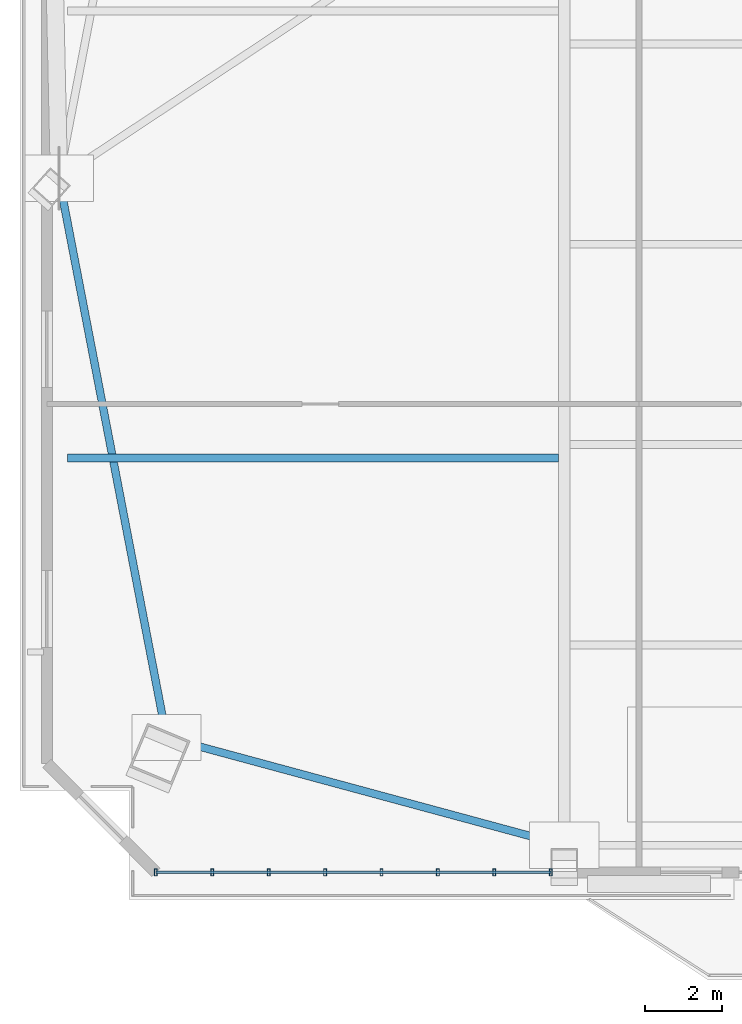
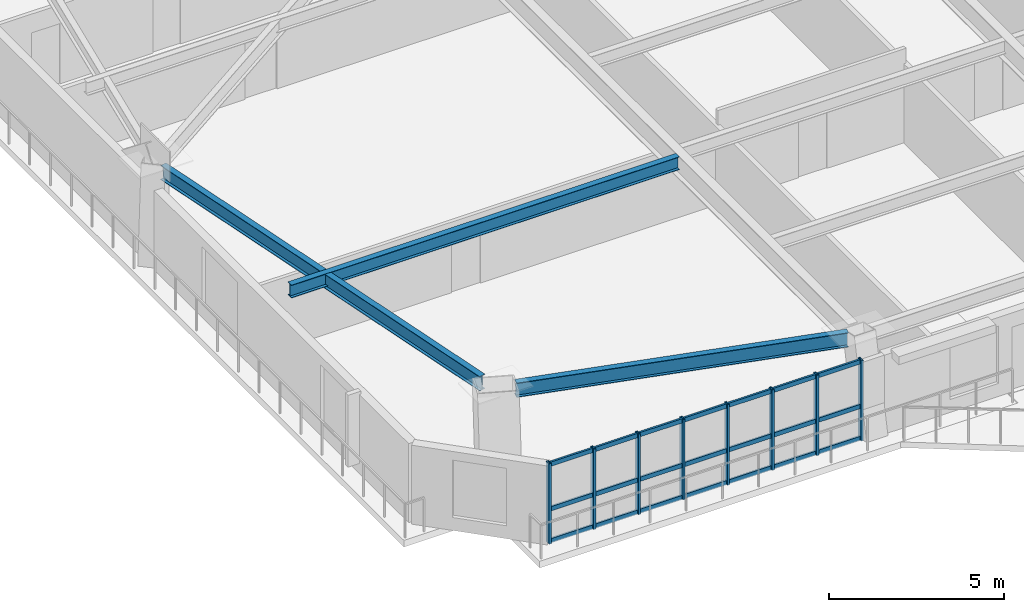
# One storey, part 2 of 16: 11 members, 3 beams, 1 element without a shape of its own.
"""IFC4 building model written with IfcOpenShell, lengths in metres."""

from ifc_helpers import new_model, si_unit, direction, frame, origin, origin_2d, place, context, subcontext, project, spatial, hollow_rectangle, i_section, extrude, source, transform, mapped, material, layer, layer_set, material_profile, profile_set, type_object, element, aggregate, save


model = new_model("IFC4")

# Units and contexts
model_context = context("Model", 3, precision=1e-05, world=origin(), true_north=direction((0.0, 1.0)))
body_context = subcontext(model_context, "Body", "Model", "MODEL_VIEW")
ifc_project = project(units=[si_unit("LENGTHUNIT", "METRE"), si_unit("AREAUNIT", "SQUARE_METRE"), si_unit("VOLUMEUNIT", "CUBIC_METRE"), si_unit("PLANEANGLEUNIT", "RADIAN"), si_unit("MASSUNIT", "GRAM", prefix="KILO")], contexts=[model_context])

# Site, building, storey
site_placement = place(None, origin())
site = spatial("IfcSite", under=ifc_project, at=site_placement, CompositionType="ELEMENT")
building_placement = place(site_placement, origin())
building = spatial("IfcBuilding", under=site, at=building_placement, Name="Giltprow Tower", CompositionType="ELEMENT")
storey_placement = place(building_placement, frame((0.0, 0.0, 199.199951171875)))
storey = spatial("IfcBuildingStorey", under=building, at=storey_placement, Name="L50", CompositionType="ELEMENT", Elevation=199.199951171875)

# Beams
ifc_material_1 = material(Name="Structural steel Q355B", Category="steel")
ifc_material_profile_1 = material_profile(ifc_material_1, i_section(OverallWidth=0.199951171875, OverallDepth=0.5, WebThickness=0.010009765625, FlangeThickness=0.01611328125, at=origin_2d()), Name="HN 500x200x10x16")
ifc_profile_set_1 = profile_set([ifc_material_profile_1], Name="Structural steel Q355B")
beam_type_1 = type_object("IfcBeamType", Name="BM-SPAN-HN500", PredefinedType="SPANDREL", material=ifc_profile_set_1)
shared_shape_1 = source(origin(), body_context, "Body", "SweptSolid", [
    extrude(i_section(OverallWidth=0.199951171875, OverallDepth=0.5, WebThickness=0.010009765625, FlangeThickness=0.01611328125, at=origin_2d()), origin(), (0.0, 0.0, 1.0), 9.799072265625),
])
beam_1_placement = place(storey_placement, frame((10.068115234375, 14.032958984375, 3.02001953125), z_axis=(0.965302818233, -0.261133048676, 0.0), x_axis=(0.261133048676, 0.965302818233, 0.0)))
element("IfcBeam", 1, at=beam_1_placement, inside=storey, type_object=beam_type_1, Name="L50 Perimeter Spandrel Beam MC_SW-S1", PredefinedType="SPANDREL", context=body_context, shape_type="MappedRepresentation", body=[
    mapped(shared_shape_1, transform((0.0, 0.0, 0.0), x_axis=(1.0, 0.0, 0.0), y_axis=(0.0, 1.0, 0.0), z_axis=(0.0, 0.0, 1.0), scale=1.0)),
])
shared_shape_2 = source(origin(), body_context, "Body", "SweptSolid", [
    extrude(i_section(OverallWidth=0.199951171875, OverallDepth=0.5, WebThickness=0.010009765625, FlangeThickness=0.01611328125, at=origin_2d()), origin(), (0.0, 0.0, 1.0), 13.904541015625),
])
beam_2_placement = place(storey_placement, frame((6.76611328125, 28.4140625, 3.02001953125), z_axis=(0.18892879803, -0.981990788793, 0.0), x_axis=(0.981990788793, 0.18892879803, 0.0)))
element("IfcBeam", 2, at=beam_2_placement, inside=storey, type_object=beam_type_1, Name="L50 Perimeter Spandrel Beam W_MID-MC_SW", PredefinedType="SPANDREL", context=body_context, shape_type="MappedRepresentation", body=[
    mapped(shared_shape_2, transform((0.0, 0.0, 0.0), x_axis=(1.0, 0.0, 0.0), y_axis=(0.0, 1.0, 0.0), z_axis=(0.0, 0.0, 1.0), scale=1.0)),
])
ifc_material_profile_2 = material_profile(ifc_material_1, i_section(OverallWidth=0.199951171875, OverallDepth=0.449951171875, WebThickness=0.009033203125, FlangeThickness=0.013916015625, at=origin_2d()), Name="HN 450x200x9x14")
ifc_profile_set_2 = profile_set([ifc_material_profile_2], Name="Structural steel Q355B")
beam_type_2 = type_object("IfcBeamType", Name="BM-JOIST-HN450", PredefinedType="JOIST", material=ifc_profile_set_2)
shared_shape_3 = source(origin(), body_context, "Body", "SweptSolid", [
    extrude(i_section(OverallWidth=0.199951171875, OverallDepth=0.449951171875, WebThickness=0.009033203125, FlangeThickness=0.013916015625, at=origin_2d()), origin(), (0.0, 0.0, 1.0), 12.781982421875),
])
beam_3_placement = place(storey_placement, frame((6.923095703125, 21.465087890625, 3.045166015625), z_axis=(1.0, 0.0, 0.0), x_axis=(0.0, 1.0, 0.0)))
element("IfcBeam", 3, at=beam_3_placement, inside=storey, type_object=beam_type_2, Name="L50 West Wing Floor Joist 1", PredefinedType="JOIST", context=body_context, shape_type="MappedRepresentation", body=[
    mapped(shared_shape_3, transform((0.0, 0.0, 0.0), x_axis=(1.0, 0.0, 0.0), y_axis=(0.0, 1.0, 0.0), z_axis=(0.0, 0.0, 1.0), scale=1.0)),
])

# Curtain wall, members
ifc_material_2 = material(Name="Anodized bronze", Category="metal")
ifc_layer = layer(ifc_material_2, 0.179931640625, Name="Anodized bronze")
ifc_layer_set = layer_set([ifc_layer], Name="Anodized bronze")
curtain_wall_type = type_object("IfcCurtainWallType", Name="CW-HTL-BRONZE", PredefinedType="NOTDEFINED", material=ifc_layer_set)
curtain_wall_placement = place(storey_placement, origin())
curtain_wall = element("IfcCurtainWall", 4, at=curtain_wall_placement, inside=storey, type_object=curtain_wall_type, Name="L50 South Recessed Curtain Wall 1", PredefinedType="NOTDEFINED")
ifc_material_profile_3 = material_profile(ifc_material_2, hollow_rectangle(XDim=0.074951171875, YDim=0.179931640625, WallThickness=0.008056640625, at=origin_2d()), Name="RHS 180x75x8")
ifc_profile_set_3 = profile_set([ifc_material_profile_3], Name="Anodized bronze")
member_type_1 = type_object("IfcMemberType", Name="CW-MULLION-180x75", PredefinedType="MULLION", material=ifc_profile_set_3)
shared_shape_4 = source(origin(), body_context, "Body", "SweptSolid", [
    extrude(hollow_rectangle(XDim=0.074951171875, YDim=0.179931640625, WallThickness=0.008056640625, at=origin_2d()), origin(), (0.0, 0.0, 1.0), 2.80517578125),
])
member_1_placement = place(storey_placement, frame((9.22412109375, 10.679931640625, -0.02001953125), z_axis=(0.0, 0.0, 1.0), x_axis=(1.0, 0.0, 0.0)))
member_1 = element("IfcMember", 5, at=member_1_placement, type_object=member_type_1, Name="L50 South Recessed Curtain Wall 1 Mullion 1", PredefinedType="MULLION", context=body_context, shape_type="MappedRepresentation", body=[
    mapped(shared_shape_4, transform((0.0, 0.0, 0.0), x_axis=(1.0, 0.0, 0.0), y_axis=(0.0, 1.0, 0.0), z_axis=(0.0, 0.0, 1.0), scale=1.0)),
])
member_2_placement = place(storey_placement, frame((10.69189453125, 10.679931640625, -0.02001953125), z_axis=(0.0, 0.0, 1.0), x_axis=(1.0, 0.0, 0.0)))
member_2 = element("IfcMember", 6, at=member_2_placement, type_object=member_type_1, Name="L50 South Recessed Curtain Wall 1 Mullion 2", PredefinedType="MULLION", context=body_context, shape_type="MappedRepresentation", body=[
    mapped(shared_shape_4, transform((0.0, 0.0, 0.0), x_axis=(1.0, 0.0, 0.0), y_axis=(0.0, 1.0, 0.0), z_axis=(0.0, 0.0, 1.0), scale=1.0)),
])
member_3_placement = place(storey_placement, frame((12.159912109375, 10.679931640625, -0.02001953125), z_axis=(0.0, 0.0, 1.0), x_axis=(1.0, 0.0, 0.0)))
member_3 = element("IfcMember", 7, at=member_3_placement, type_object=member_type_1, Name="L50 South Recessed Curtain Wall 1 Mullion 3", PredefinedType="MULLION", context=body_context, shape_type="MappedRepresentation", body=[
    mapped(shared_shape_4, transform((0.0, 0.0, 0.0), x_axis=(1.0, 0.0, 0.0), y_axis=(0.0, 1.0, 0.0), z_axis=(0.0, 0.0, 1.0), scale=1.0)),
])
member_4_placement = place(storey_placement, frame((13.6279296875, 10.679931640625, -0.02001953125), z_axis=(0.0, 0.0, 1.0), x_axis=(1.0, 0.0, 0.0)))
member_4 = element("IfcMember", 8, at=member_4_placement, type_object=member_type_1, Name="L50 South Recessed Curtain Wall 1 Mullion 4", PredefinedType="MULLION", context=body_context, shape_type="MappedRepresentation", body=[
    mapped(shared_shape_4, transform((0.0, 0.0, 0.0), x_axis=(1.0, 0.0, 0.0), y_axis=(0.0, 1.0, 0.0), z_axis=(0.0, 0.0, 1.0), scale=1.0)),
])
member_5_placement = place(storey_placement, frame((15.095947265625, 10.679931640625, -0.02001953125), z_axis=(0.0, 0.0, 1.0), x_axis=(1.0, 0.0, 0.0)))
member_5 = element("IfcMember", 9, at=member_5_placement, type_object=member_type_1, Name="L50 South Recessed Curtain Wall 1 Mullion 5", PredefinedType="MULLION", context=body_context, shape_type="MappedRepresentation", body=[
    mapped(shared_shape_4, transform((0.0, 0.0, 0.0), x_axis=(1.0, 0.0, 0.0), y_axis=(0.0, 1.0, 0.0), z_axis=(0.0, 0.0, 1.0), scale=1.0)),
])
member_6_placement = place(storey_placement, frame((16.56396484375, 10.679931640625, -0.02001953125), z_axis=(0.0, 0.0, 1.0), x_axis=(1.0, 0.0, 0.0)))
member_6 = element("IfcMember", 10, at=member_6_placement, type_object=member_type_1, Name="L50 South Recessed Curtain Wall 1 Mullion 6", PredefinedType="MULLION", context=body_context, shape_type="MappedRepresentation", body=[
    mapped(shared_shape_4, transform((0.0, 0.0, 0.0), x_axis=(1.0, 0.0, 0.0), y_axis=(0.0, 1.0, 0.0), z_axis=(0.0, 0.0, 1.0), scale=1.0)),
])
member_7_placement = place(storey_placement, frame((18.031982421875, 10.679931640625, -0.02001953125), z_axis=(0.0, 0.0, 1.0), x_axis=(1.0, 0.0, 0.0)))
member_7 = element("IfcMember", 11, at=member_7_placement, type_object=member_type_1, Name="L50 South Recessed Curtain Wall 1 Mullion 7", PredefinedType="MULLION", context=body_context, shape_type="MappedRepresentation", body=[
    mapped(shared_shape_4, transform((0.0, 0.0, 0.0), x_axis=(1.0, 0.0, 0.0), y_axis=(0.0, 1.0, 0.0), z_axis=(0.0, 0.0, 1.0), scale=1.0)),
])
member_8_placement = place(storey_placement, frame((19.5, 10.679931640625, -0.02001953125), z_axis=(0.0, 0.0, 1.0), x_axis=(1.0, 0.0, 0.0)))
member_8 = element("IfcMember", 12, at=member_8_placement, type_object=member_type_1, Name="L50 South Recessed Curtain Wall 1 Mullion 8", PredefinedType="MULLION", context=body_context, shape_type="MappedRepresentation", body=[
    mapped(shared_shape_4, transform((0.0, 0.0, 0.0), x_axis=(1.0, 0.0, 0.0), y_axis=(0.0, 1.0, 0.0), z_axis=(0.0, 0.0, 1.0), scale=1.0)),
])
ifc_material_profile_4 = material_profile(ifc_material_2, hollow_rectangle(XDim=0.06494140625, YDim=0.14990234375, WallThickness=0.006103515625, at=origin_2d()), Name="RHS 150x65x6")
ifc_profile_set_4 = profile_set([ifc_material_profile_4], Name="Anodized bronze")
member_type_2 = type_object("IfcMemberType", Name="CW-TRANSOM-150x65", PredefinedType="USERDEFINED", material=ifc_profile_set_4)
shared_shape_5 = source(origin(), body_context, "Body", "SweptSolid", [
    extrude(hollow_rectangle(XDim=0.06494140625, YDim=0.14990234375, WallThickness=0.006103515625, at=origin_2d()), origin(), (0.0, 0.0, 1.0), 10.27587890625),
])
member_9_placement = place(storey_placement, frame((9.22412109375, 10.679931640625, 0.0400390625), z_axis=(1.0, 0.0, 0.0), x_axis=(0.0, 1.0, 0.0)))
member_9 = element("IfcMember", 13, at=member_9_placement, type_object=member_type_2, Name="L50 South Recessed Curtain Wall 1 Transom 1", ObjectType="TRANSOM", PredefinedType="USERDEFINED", context=body_context, shape_type="MappedRepresentation", body=[
    mapped(shared_shape_5, transform((0.0, 0.0, 0.0), x_axis=(1.0, 0.0, 0.0), y_axis=(0.0, 1.0, 0.0), z_axis=(0.0, 0.0, 1.0), scale=1.0)),
])
member_10_placement = place(storey_placement, frame((9.22412109375, 10.679931640625, 1.155029296875), z_axis=(1.0, 0.0, 0.0), x_axis=(0.0, 1.0, 0.0)))
member_10 = element("IfcMember", 14, at=member_10_placement, type_object=member_type_2, Name="L50 South Recessed Curtain Wall 1 Transom 2", ObjectType="TRANSOM", PredefinedType="USERDEFINED", context=body_context, shape_type="MappedRepresentation", body=[
    mapped(shared_shape_5, transform((0.0, 0.0, 0.0), x_axis=(1.0, 0.0, 0.0), y_axis=(0.0, 1.0, 0.0), z_axis=(0.0, 0.0, 1.0), scale=1.0)),
])
member_11_placement = place(storey_placement, frame((9.22412109375, 10.679931640625, 2.7099609375), z_axis=(1.0, 0.0, 0.0), x_axis=(0.0, 1.0, 0.0)))
member_11 = element("IfcMember", 15, at=member_11_placement, type_object=member_type_2, Name="L50 South Recessed Curtain Wall 1 Transom 3", ObjectType="TRANSOM", PredefinedType="USERDEFINED", context=body_context, shape_type="MappedRepresentation", body=[
    mapped(shared_shape_5, transform((0.0, 0.0, 0.0), x_axis=(1.0, 0.0, 0.0), y_axis=(0.0, 1.0, 0.0), z_axis=(0.0, 0.0, 1.0), scale=1.0)),
])
aggregate(curtain_wall, [member_1, member_2, member_3, member_4, member_5, member_6, member_7, member_8, member_9, member_10, member_11])

save(model, "model.ifc")
